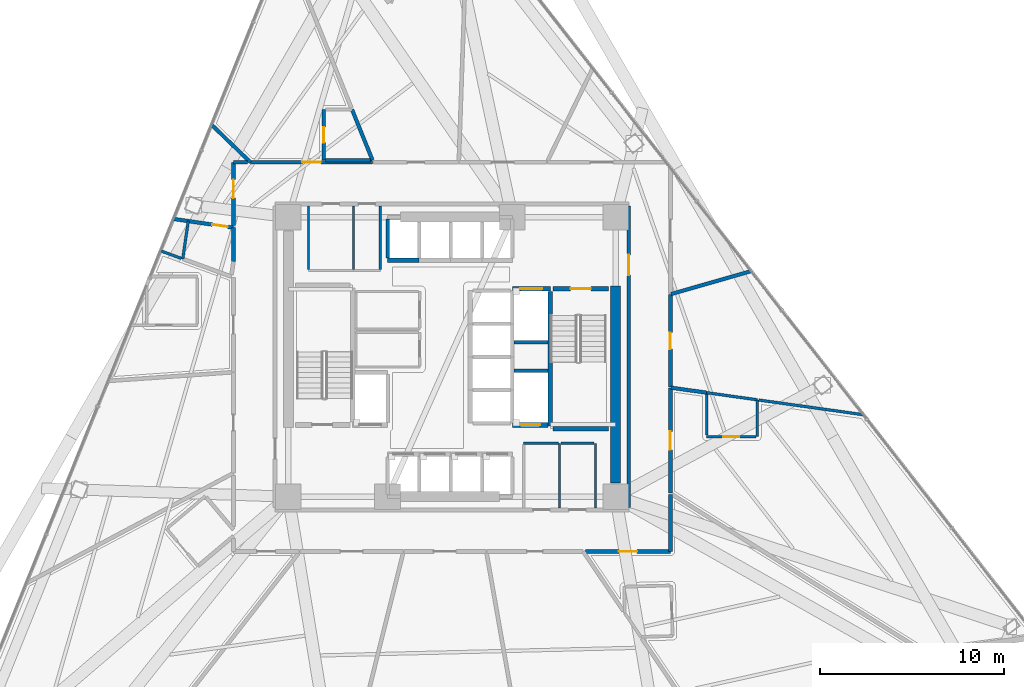
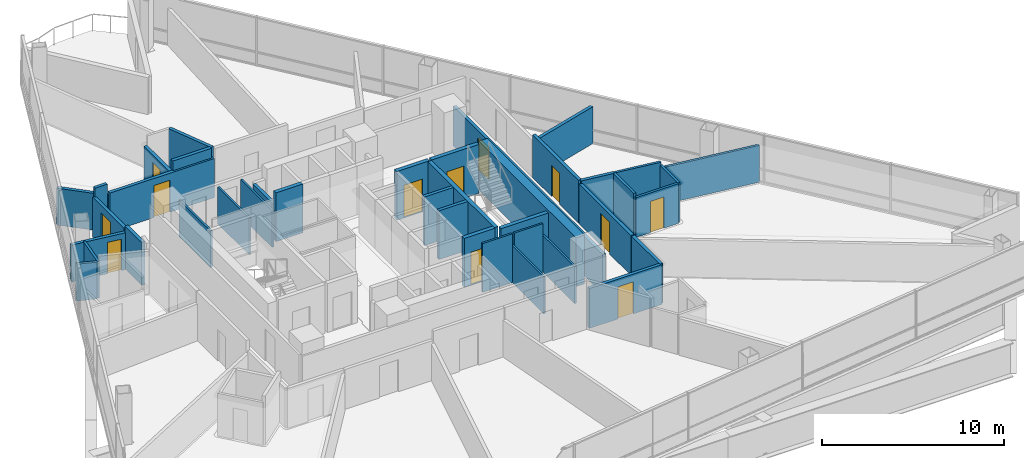
# One storey, part 9 of 15: 40 walls, 12 doors, 12 openings.
"""IFC4 building model written with IfcOpenShell, lengths in metres."""

from ifc_helpers import new_model, si_unit, direction, frame, frame_2d, origin, place, context, subcontext, project, spatial, rectangle, extrude, material, layer, layer_set, type_object, element, fill, save


model = new_model("IFC4")

# Units and contexts
model_context = context("Model", 3, precision=1e-05, world=origin(), true_north=direction((0.0, 1.0)))
body_context = subcontext(model_context, "Body", "Model", "MODEL_VIEW")
ifc_project = project(units=[si_unit("LENGTHUNIT", "METRE"), si_unit("AREAUNIT", "SQUARE_METRE"), si_unit("VOLUMEUNIT", "CUBIC_METRE"), si_unit("PLANEANGLEUNIT", "RADIAN"), si_unit("MASSUNIT", "GRAM", prefix="KILO")], contexts=[model_context])

# Site, building, storey
site_placement = place(None, origin())
site = spatial("IfcSite", under=ifc_project, at=site_placement, CompositionType="ELEMENT")
building_placement = place(site_placement, origin())
building = spatial("IfcBuilding", under=site, at=building_placement, Name="Tharavind Bronze Gate", CompositionType="ELEMENT")
storey_placement = place(building_placement, frame((0.0, 0.0, 57.0)))
storey = spatial("IfcBuildingStorey", under=building, at=storey_placement, Name="L13", CompositionType="ELEMENT", Elevation=57.0)

# Wall, opening, door
ifc_material_1 = material(Name="Aerated Concrete Block", Category="concrete")
ifc_layer_1 = layer(ifc_material_1, 0.199951171875)
ifc_layer_set_1 = layer_set([ifc_layer_1], Name="Aerated Concrete Block")
wall_type_1 = type_object("IfcWallType", Name="FIRE RATED PARTITION 200", PredefinedType="PARTITIONING", material=ifc_layer_set_1)
wall_1_placement = place(storey_placement, frame((9.6201171875, -8.199951171875, 0.0), z_axis=(0.0, 0.0, 1.0), x_axis=(0.0, 1.0, 0.0)))
wall_1 = element("IfcWall", 1, at=wall_1_placement, inside=storey, type_object=wall_type_1, Name="L13 east core corridor wall", PredefinedType="PARTITIONING", context=body_context, shape_type="SweptSolid", body=[
    extrude(rectangle(XDim=16.39990234375, YDim=0.199951171875, at=frame_2d((8.199951171875, 0.0))), origin(), (0.0, 0.0, 1.0), 2.669921875),
])
opening_1_placement = place(wall_1_placement, frame((12.64990234375, 0.0, 0.0)))
opening_1 = element("IfcOpeningElement", 2, at=opening_1_placement, cuts=wall_1, Name="Opening ID01", PredefinedType="OPENING", context=body_context, shape_type="SweptSolid", body=[
    extrude(rectangle(XDim=1.10009765625, YDim=2.14990234375, at=frame_2d((0.550048828125, 1.074951171875))), frame((0.0, 0.11009765625, 0.0), z_axis=(0.0, -1.0, 0.0), x_axis=(1.0, 0.0, 0.0)), (0.0, 0.0, 1.0), 0.219951171875),
])
ifc_material_2 = material(Name="Fire-Rated Steel", Category="steel")
door_type_1 = type_object("IfcDoorType", Name="STAIR CORE FIRE DOOR 1100X2150", OperationType="SINGLE_SWING_LEFT", PredefinedType="DOOR", material=ifc_material_2)
door_1_placement = place(opening_1_placement, frame((1.10009765625, 0.0, 0.0), z_axis=(0.0, 0.0, 1.0), x_axis=(-1.0, 0.0, 0.0)))
door_1 = element("IfcDoor", 3, at=door_1_placement, inside=storey, type_object=door_type_1, Name="L13 north east stair lobby fire door", OperationType="SINGLE_SWING_LEFT", OverallHeight=2.14990234375, OverallWidth=1.10009765625, PredefinedType="DOOR", context=body_context, shape_type="SweptSolid", body=[
    extrude(rectangle(XDim=1.10009765625, YDim=2.14990234375, at=frame_2d((0.550048828125, 1.074951171875))), frame((0.0, 0.02490234375, 0.0), z_axis=(0.0, -1.0, 0.0), x_axis=(1.0, 0.0, 0.0)), (0.0, 0.0, 1.0), 0.050048828125),
])
fill(opening_1, door_1)

wall_2_placement = place(storey_placement, frame((-6.97314453125, 10.699951171875, 0.0), z_axis=(0.0, 0.0, 1.0), x_axis=(0.0, 1.0, 0.0)))
wall_2 = element("IfcWall", 4, at=wall_2_placement, inside=storey, type_object=wall_type_1, Name="L13 En-Suite Bathroom partition", PredefinedType="PARTITIONING", context=body_context, shape_type="SweptSolid", body=[
    extrude(rectangle(XDim=2.75, YDim=0.199951171875, at=frame_2d((1.375, 0.0))), origin(), (0.0, 0.0, 1.0), 2.6201171875),
])
opening_2_placement = place(wall_2_placement, frame((0.949951171875, 0.0, 0.0)))
opening_2 = element("IfcOpeningElement", 5, at=opening_2_placement, cuts=wall_2, Name="Opening ID06", PredefinedType="OPENING", context=body_context, shape_type="SweptSolid", body=[
    extrude(rectangle(XDim=0.85009765625, YDim=2.10009765625, at=frame_2d((0.425048828125, 1.050048828125))), frame((0.0, 0.11009765625, 0.0), z_axis=(0.0, -1.0, 0.0), x_axis=(1.0, 0.0, 0.0)), (0.0, 0.0, 1.0), 0.219951171875),
])
ifc_material_3 = material(Name="Moisture-Resistant Timber", Category="wood")
door_type_2 = type_object("IfcDoorType", Name="BATHROOM PRIVACY DOOR 850X2100", OperationType="SINGLE_SWING_RIGHT", PredefinedType="DOOR", material=ifc_material_3)
door_2_placement = place(opening_2_placement, origin())
door_2 = element("IfcDoor", 6, at=door_2_placement, inside=storey, type_object=door_type_2, Name="L13 En-Suite Bathroom door", OperationType="SINGLE_SWING_RIGHT", OverallHeight=2.10009765625, OverallWidth=0.85009765625, PredefinedType="DOOR", context=body_context, shape_type="SweptSolid", body=[
    extrude(rectangle(XDim=0.85009765625, YDim=2.10009765625, at=frame_2d((0.425048828125, 1.050048828125))), frame((0.0, 0.02490234375, 0.0), z_axis=(0.0, -1.0, 0.0), x_axis=(1.0, 0.0, 0.0)), (0.0, 0.0, 1.0), 0.050048828125),
])
fill(opening_2, door_2)

# Walls
wall_3_placement = place(storey_placement, frame((-5.43408203125, 13.449951171875, 0.0), z_axis=(0.0, 0.0, 1.0), x_axis=(0.374610031927, -0.927182465311, 0.0)))
element("IfcWall", 7, at=wall_3_placement, inside=storey, type_object=wall_type_1, Name="L13 En-Suite Bathroom partition", PredefinedType="PARTITIONING", context=body_context, shape_type="SweptSolid", body=[
    extrude(rectangle(XDim=2.966064453125, YDim=0.199951171875, at=frame_2d((1.48291015625, 0.0))), origin(), (0.0, 0.0, 1.0), 3.27490234375),
])
wall_4_placement = place(storey_placement, frame((-4.436279296875, 10.699951171875, 0.0), z_axis=(0.0, 0.0, 1.0), x_axis=(-1.0, 0.0, 0.0)))
element("IfcWall", 8, at=wall_4_placement, inside=storey, type_object=wall_type_1, Name="L13 En-Suite Bathroom partition", PredefinedType="PARTITIONING", context=body_context, shape_type="SweptSolid", body=[
    extrude(rectangle(XDim=2.431884765625, YDim=0.199951171875, at=frame_2d((1.2158203125, 0.0))), origin(), (0.0, 0.0, 1.0), 3.27490234375),
])

# Wall, opening, door
wall_5_placement = place(storey_placement, frame((-15.144287109375, 7.502197265625, 0.0), z_axis=(0.0, 0.0, 1.0), x_axis=(0.989616702709, -0.143731630892, 0.0)))
wall_5 = element("IfcWall", 9, at=wall_5_placement, inside=storey, type_object=wall_type_1, Name="L13 En-Suite Bathroom partition", PredefinedType="PARTITIONING", context=body_context, shape_type="SweptSolid", body=[
    extrude(rectangle(XDim=3.298583984375, YDim=0.199951171875, at=frame_2d((1.6494140625, 0.0))), origin(), (0.0, 0.0, 1.0), 2.469970703125),
])
opening_3_placement = place(wall_5_placement, frame((2.1240234375, 0.0, 0.0)))
opening_3 = element("IfcOpeningElement", 10, at=opening_3_placement, cuts=wall_5, Name="Opening ID06", PredefinedType="OPENING", context=body_context, shape_type="SweptSolid", body=[
    extrude(rectangle(XDim=0.85009765625, YDim=2.10009765625, at=frame_2d((0.425048828125, 1.050048828125))), frame((0.0, 0.11009765625, 0.0), z_axis=(0.0, -1.0, 0.0), x_axis=(1.0, 0.0, 0.0)), (0.0, 0.0, 1.0), 0.219951171875),
])
door_3_placement = place(opening_3_placement, origin())
door_3 = element("IfcDoor", 11, at=door_3_placement, inside=storey, type_object=door_type_2, Name="L13 En-Suite Bathroom door", OperationType="SINGLE_SWING_RIGHT", OverallHeight=2.10009765625, OverallWidth=0.85009765625, PredefinedType="DOOR", context=body_context, shape_type="SweptSolid", body=[
    extrude(rectangle(XDim=0.85009765625, YDim=2.10009765625, at=frame_2d((0.425048828125, 1.050048828125))), frame((0.0, 0.02490234375, 0.0), z_axis=(0.0, -1.0, 0.0), x_axis=(1.0, 0.0, 0.0)), (0.0, 0.0, 1.0), 0.050048828125),
])
fill(opening_3, door_3)

# Walls
wall_6_placement = place(storey_placement, frame((-11.8798828125, 7.028076171875, 0.0), z_axis=(0.0, 0.0, 1.0), x_axis=(0.0, -1.0, 0.0)))
element("IfcWall", 12, at=wall_6_placement, inside=storey, type_object=wall_type_1, Name="L13 En-Suite Bathroom partition", PredefinedType="PARTITIONING", context=body_context, shape_type="SweptSolid", body=[
    extrude(rectangle(XDim=1.834228515625, YDim=0.199951171875, at=frame_2d((0.9169921875, 0.0))), origin(), (0.0, 0.0, 1.0), 2.8701171875),
])
wall_7_placement = place(storey_placement, frame((16.271728515625, 4.665771484375, 0.0), z_axis=(0.0, 0.0, 1.0), x_axis=(-0.961271666147, -0.275602583194, 0.0)))
element("IfcWall", 13, at=wall_7_placement, inside=storey, type_object=wall_type_1, Name="L13 Hotel Club Lounge partition", PredefinedType="PARTITIONING", context=body_context, shape_type="SweptSolid", body=[
    extrude(rectangle(XDim=4.535400390625, YDim=0.199951171875, at=frame_2d((2.267578125, 0.0))), origin(), (0.0, 0.0, 1.0), 2.469970703125),
])

# Wall, opening, door
wall_8_placement = place(storey_placement, frame((-4.311767578125, 10.580078125, 0.0), z_axis=(0.0, 0.0, 1.0), x_axis=(-1.0, 0.0, 0.0)))
wall_8 = element("IfcWall", 14, at=wall_8_placement, inside=storey, type_object=wall_type_1, Name="L13 Hotel Guest Room partition", PredefinedType="PARTITIONING", context=body_context, shape_type="SweptSolid", body=[
    extrude(rectangle(XDim=6.634033203125, YDim=0.199951171875, at=frame_2d((3.31689453125, 0.0))), origin(), (0.0, 0.0, 1.0), 2.6201171875),
])
opening_4_placement = place(wall_8_placement, frame((2.81689453125, 0.0, 0.0)))
opening_4 = element("IfcOpeningElement", 15, at=opening_4_placement, cuts=wall_8, Name="Opening ID03", PredefinedType="OPENING", context=body_context, shape_type="SweptSolid", body=[
    extrude(rectangle(XDim=1.0, YDim=2.14990234375, at=frame_2d((0.5, 1.074951171875))), frame((0.0, 0.11009765625, 0.0), z_axis=(0.0, -1.0, 0.0), x_axis=(1.0, 0.0, 0.0)), (0.0, 0.0, 1.0), 0.219951171875),
])
ifc_material_4 = material(Name="Solid Timber Veneer", Category="wood")
door_type_3 = type_object("IfcDoorType", Name="HOTEL SUITE ENTRANCE DOOR 1000X2150", OperationType="SINGLE_SWING_LEFT", PredefinedType="DOOR", material=ifc_material_4)
door_4_placement = place(opening_4_placement, origin())
door_4 = element("IfcDoor", 16, at=door_4_placement, inside=storey, type_object=door_type_3, Name="L13 Hotel Guest Room door", OperationType="SINGLE_SWING_LEFT", OverallHeight=2.14990234375, OverallWidth=1.0, PredefinedType="DOOR", context=body_context, shape_type="SweptSolid", body=[
    extrude(rectangle(XDim=1.0, YDim=2.14990234375, at=frame_2d((0.5, 1.074951171875))), frame((0.0, 0.02490234375, 0.0), z_axis=(0.0, -1.0, 0.0), x_axis=(1.0, 0.0, 0.0)), (0.0, 0.0, 1.0), 0.050048828125),
])
fill(opening_4, door_4)

# Walls
wall_9_placement = place(storey_placement, frame((-10.963134765625, 10.5869140625, 0.0), z_axis=(0.0, 0.0, 1.0), x_axis=(-0.719299093908, 0.69470052073, 0.0)))
element("IfcWall", 17, at=wall_9_placement, inside=storey, type_object=wall_type_1, Name="L13 Hotel Guest Room partition", PredefinedType="PARTITIONING", context=body_context, shape_type="SweptSolid", body=[
    extrude(rectangle(XDim=2.91796875, YDim=0.199951171875, at=frame_2d((1.458984375, 0.0))), origin(), (0.0, 0.0, 1.0), 2.469970703125),
])
wall_10_placement = place(storey_placement, frame((-11.107177734375, 10.580078125, 0.0), z_axis=(0.0, 0.0, 1.0), x_axis=(-1.0, 0.0, 0.0)))
element("IfcWall", 18, at=wall_10_placement, inside=storey, type_object=wall_type_1, Name="L13 Hotel Deluxe Room partition", PredefinedType="PARTITIONING", context=body_context, shape_type="SweptSolid", body=[
    extrude(rectangle(XDim=0.772216796875, YDim=0.199951171875, at=frame_2d((0.38623046875, 0.0))), origin(), (0.0, 0.0, 1.0), 3.27490234375),
])

# Wall, opening, door
wall_11_placement = place(storey_placement, frame((-11.8798828125, 10.579345703125, 0.0), z_axis=(0.0, 0.0, 1.0), x_axis=(0.0, -1.0, 0.0)))
wall_11 = element("IfcWall", 19, at=wall_11_placement, inside=storey, type_object=wall_type_1, Name="L13 Hotel Deluxe Room partition", PredefinedType="PARTITIONING", context=body_context, shape_type="SweptSolid", body=[
    extrude(rectangle(XDim=3.4453125, YDim=0.199951171875, at=frame_2d((1.72265625, 0.0))), origin(), (0.0, 0.0, 1.0), 2.669921875),
])
opening_5_placement = place(wall_11_placement, frame((0.943115234375, 0.0, 0.0)))
opening_5 = element("IfcOpeningElement", 20, at=opening_5_placement, cuts=wall_11, Name="Opening ID03", PredefinedType="OPENING", context=body_context, shape_type="SweptSolid", body=[
    extrude(rectangle(XDim=1.0, YDim=2.14990234375, at=frame_2d((0.5, 1.074951171875))), frame((0.0, 0.11009765625, 0.0), z_axis=(0.0, -1.0, 0.0), x_axis=(1.0, 0.0, 0.0)), (0.0, 0.0, 1.0), 0.219951171875),
])
door_5_placement = place(opening_5_placement, origin())
door_5 = element("IfcDoor", 21, at=door_5_placement, inside=storey, type_object=door_type_3, Name="L13 Hotel Deluxe Room door", OperationType="SINGLE_SWING_LEFT", OverallHeight=2.14990234375, OverallWidth=1.0, PredefinedType="DOOR", context=body_context, shape_type="SweptSolid", body=[
    extrude(rectangle(XDim=1.0, YDim=2.14990234375, at=frame_2d((0.5, 1.074951171875))), frame((0.0, 0.02490234375, 0.0), z_axis=(0.0, -1.0, 0.0), x_axis=(1.0, 0.0, 0.0)), (0.0, 0.0, 1.0), 0.050048828125),
])
fill(opening_5, door_5)

# Wall
wall_12_placement = place(storey_placement, frame((11.8798828125, -10.579345703125, 0.0), z_axis=(0.0, 0.0, 1.0), x_axis=(0.0, 1.0, 0.0)))
element("IfcWall", 22, at=wall_12_placement, inside=storey, type_object=wall_type_1, Name="L13 Deluxe Hotel Suite partition", PredefinedType="PARTITIONING", context=body_context, shape_type="SweptSolid", body=[
    extrude(rectangle(XDim=3.11083984375, YDim=0.199951171875, at=frame_2d((1.555419921875, 0.0))), origin(), (0.0, 0.0, 1.0), 2.669921875),
])

# Wall, opening, door
wall_13_placement = place(storey_placement, frame((7.262939453125, -10.580078125, 0.0), z_axis=(0.0, 0.0, 1.0), x_axis=(1.0, 0.0, 0.0)))
wall_13 = element("IfcWall", 23, at=wall_13_placement, inside=storey, type_object=wall_type_1, Name="L13 Deluxe Hotel Suite partition", PredefinedType="PARTITIONING", context=body_context, shape_type="SweptSolid", body=[
    extrude(rectangle(XDim=4.616455078125, YDim=0.199951171875, at=frame_2d((2.30810546875, 0.0))), origin(), (0.0, 0.0, 1.0), 2.669921875),
])
opening_6_placement = place(wall_13_placement, frame((1.80810546875, 0.0, 0.0)))
opening_6 = element("IfcOpeningElement", 24, at=opening_6_placement, cuts=wall_13, Name="Opening ID03", PredefinedType="OPENING", context=body_context, shape_type="SweptSolid", body=[
    extrude(rectangle(XDim=1.0, YDim=2.14990234375, at=frame_2d((0.5, 1.074951171875))), frame((0.0, 0.11009765625, 0.0), z_axis=(0.0, -1.0, 0.0), x_axis=(1.0, 0.0, 0.0)), (0.0, 0.0, 1.0), 0.219951171875),
])
door_6_placement = place(opening_6_placement, origin())
door_6 = element("IfcDoor", 25, at=door_6_placement, inside=storey, type_object=door_type_3, Name="L13 Deluxe Hotel Suite door", OperationType="SINGLE_SWING_LEFT", OverallHeight=2.14990234375, OverallWidth=1.0, PredefinedType="DOOR", context=body_context, shape_type="SweptSolid", body=[
    extrude(rectangle(XDim=1.0, YDim=2.14990234375, at=frame_2d((0.5, 1.074951171875))), frame((0.0, 0.02490234375, 0.0), z_axis=(0.0, -1.0, 0.0), x_axis=(1.0, 0.0, 0.0)), (0.0, 0.0, 1.0), 0.050048828125),
])
fill(opening_6, door_6)

wall_14_placement = place(storey_placement, frame((11.8798828125, -7.40966796875, 0.0), z_axis=(0.0, 0.0, 1.0), x_axis=(0.0, 1.0, 0.0)))
wall_14 = element("IfcWall", 26, at=wall_14_placement, inside=storey, type_object=wall_type_1, Name="L13 Deluxe Hotel Suite partition", PredefinedType="PARTITIONING", context=body_context, shape_type="SweptSolid", body=[
    extrude(rectangle(XDim=5.711181640625, YDim=0.199951171875, at=frame_2d((2.85546875, 0.0))), origin(), (0.0, 0.0, 1.0), 2.669921875),
])
opening_7_placement = place(wall_14_placement, frame((2.35595703125, 0.0, 0.0)))
opening_7 = element("IfcOpeningElement", 27, at=opening_7_placement, cuts=wall_14, Name="Opening ID03", PredefinedType="OPENING", context=body_context, shape_type="SweptSolid", body=[
    extrude(rectangle(XDim=1.0, YDim=2.14990234375, at=frame_2d((0.5, 1.074951171875))), frame((0.0, 0.11009765625, 0.0), z_axis=(0.0, -1.0, 0.0), x_axis=(1.0, 0.0, 0.0)), (0.0, 0.0, 1.0), 0.219951171875),
])
door_7_placement = place(opening_7_placement, origin())
door_7 = element("IfcDoor", 28, at=door_7_placement, inside=storey, type_object=door_type_3, Name="L13 Deluxe Hotel Suite door", OperationType="SINGLE_SWING_LEFT", OverallHeight=2.14990234375, OverallWidth=1.0, PredefinedType="DOOR", context=body_context, shape_type="SweptSolid", body=[
    extrude(rectangle(XDim=1.0, YDim=2.14990234375, at=frame_2d((0.5, 1.074951171875))), frame((0.0, 0.02490234375, 0.0), z_axis=(0.0, -1.0, 0.0), x_axis=(1.0, 0.0, 0.0)), (0.0, 0.0, 1.0), 0.050048828125),
])
fill(opening_7, door_7)

# Wall
wall_15_placement = place(storey_placement, frame((11.908447265625, -1.673583984375, 0.0), z_axis=(0.0, 0.0, 1.0), x_axis=(0.990263284835, -0.13920713598, 0.0)))
element("IfcWall", 29, at=wall_15_placement, inside=storey, type_object=wall_type_1, Name="L13 Deluxe Hotel Suite partition", PredefinedType="PARTITIONING", context=body_context, shape_type="SweptSolid", body=[
    extrude(rectangle(XDim=1.960693359375, YDim=0.199951171875, at=frame_2d((0.98046875, 0.0))), origin(), (0.0, 0.0, 1.0), 2.8701171875),
])

# Wall, opening, door
wall_16_placement = place(storey_placement, frame((11.8798828125, -1.64794921875, 0.0), z_axis=(0.0, 0.0, 1.0), x_axis=(0.0, 1.0, 0.0)))
wall_16 = element("IfcWall", 30, at=wall_16_placement, inside=storey, type_object=wall_type_1, Name="L13 Tea Pantry partition", PredefinedType="PARTITIONING", context=body_context, shape_type="SweptSolid", body=[
    extrude(rectangle(XDim=5.03564453125, YDim=0.199951171875, at=frame_2d((2.517822265625, 0.0))), origin(), (0.0, 0.0, 1.0), 2.8701171875),
])
opening_8_placement = place(wall_16_placement, frame((2.068115234375, 0.0, 0.0)))
opening_8 = element("IfcOpeningElement", 31, at=opening_8_placement, cuts=wall_16, Name="Opening ID07", PredefinedType="OPENING", context=body_context, shape_type="SweptSolid", body=[
    extrude(rectangle(XDim=0.89990234375, YDim=2.10009765625, at=frame_2d((0.449951171875, 1.050048828125))), frame((0.0, 0.11009765625, 0.0), z_axis=(0.0, -1.0, 0.0), x_axis=(1.0, 0.0, 0.0)), (0.0, 0.0, 1.0), 0.219951171875),
])
ifc_material_5 = material(Name="Galvanised Fire Steel", Category="steel")
door_type_4 = type_object("IfcDoorType", Name="PLANT AND RISER FIRE DOOR 900X2100", OperationType="SINGLE_SWING_LEFT", PredefinedType="DOOR", material=ifc_material_5)
door_8_placement = place(opening_8_placement, origin())
door_8 = element("IfcDoor", 32, at=door_8_placement, inside=storey, type_object=door_type_4, Name="L13 Tea Pantry door", OperationType="SINGLE_SWING_LEFT", OverallHeight=2.10009765625, OverallWidth=0.89990234375, PredefinedType="DOOR", context=body_context, shape_type="SweptSolid", body=[
    extrude(rectangle(XDim=0.89990234375, YDim=2.10009765625, at=frame_2d((0.449951171875, 1.050048828125))), frame((0.0, 0.02490234375, 0.0), z_axis=(0.0, -1.0, 0.0), x_axis=(1.0, 0.0, 0.0)), (0.0, 0.0, 1.0), 0.050048828125),
])
fill(opening_8, door_8)

# Walls
ifc_material_6 = material(Name="Metal Stud Gypsum Partition", Category="gypsum")
ifc_layer_2 = layer(ifc_material_6, 0.1201171875)
ifc_layer_set_2 = layer_set([ifc_layer_2], Name="Metal Stud Gypsum Partition")
wall_type_2 = type_object("IfcWallType", Name="INTERIOR PARTITION WALL 120", PredefinedType="PARTITIONING", material=ifc_layer_set_2)
for number, where, z_axis, x_axis, name in (
    (33, (-5.35009765625, 4.764892578125, 0.0), (0.0, 0.0, 1.0), (0.0, 1.0, 0.0), "L13 Electrical Metering Room partition 2"),
    (34, (-7.800048828125, 8.215087890625, 0.0), (0.0, 0.0, 1.0), (0.0, -1.0, 0.0), "L13 Electrical Metering Room partition 4"),
    (35, (-3.89990234375, 4.764892578125, 0.0), (0.0, 0.0, 1.0), (0.0, 1.0, 0.0), "L13 Linen Cupboard partition 2"),
):
    element("IfcWall", number, at=place(storey_placement, frame(where, z_axis=z_axis, x_axis=x_axis)), inside=storey, type_object=wall_type_2, Name=name, PredefinedType="PARTITIONING", context=body_context, shape_type="SweptSolid", body=[
        extrude(rectangle(XDim=3.4501953125, YDim=0.1201171875, at=frame_2d((1.72509765625, 0.0))), origin(), (0.0, 0.0, 1.0), 2.469970703125),
    ])
wall_17_placement = place(storey_placement, frame((5.85009765625, -8.215087890625, 0.0), z_axis=(0.0, 0.0, 1.0), x_axis=(0.0, 1.0, 0.0)))
element("IfcWall", 36, at=wall_17_placement, inside=storey, type_object=wall_type_2, Name="L13 Comms Patch Room partition 2", PredefinedType="PARTITIONING", context=body_context, shape_type="SweptSolid", body=[
    extrude(rectangle(XDim=3.51513671875, YDim=0.1201171875, at=frame_2d((1.757568359375, 0.0))), origin(), (0.0, 0.0, 1.0), 2.469970703125),
])
wall_18_placement = place(storey_placement, frame((5.784912109375, -4.699951171875, 0.0), z_axis=(0.0, 0.0, 1.0), x_axis=(-1.0, 0.0, 0.0)))
element("IfcWall", 37, at=wall_18_placement, inside=storey, type_object=wall_type_2, Name="L13 Comms Patch Room partition 3", PredefinedType="PARTITIONING", context=body_context, shape_type="SweptSolid", body=[
    extrude(rectangle(XDim=1.885009765625, YDim=0.1201171875, at=frame_2d((0.9423828125, 0.0))), origin(), (0.0, 0.0, 1.0), 3.27490234375),
])
wall_19_placement = place(storey_placement, frame((7.800048828125, -8.215087890625, 0.0), z_axis=(0.0, 0.0, 1.0), x_axis=(0.0, 1.0, 0.0)))
element("IfcWall", 38, at=wall_19_placement, inside=storey, type_object=wall_type_2, Name="L13 Housekeeping Store partition 2", PredefinedType="PARTITIONING", context=body_context, shape_type="SweptSolid", body=[
    extrude(rectangle(XDim=3.51513671875, YDim=0.1201171875, at=frame_2d((1.757568359375, 0.0))), origin(), (0.0, 0.0, 1.0), 2.469970703125),
])
wall_20_placement = place(storey_placement, frame((7.735107421875, -4.699951171875, 0.0), z_axis=(0.0, 0.0, 1.0), x_axis=(-1.0, 0.0, 0.0)))
element("IfcWall", 39, at=wall_20_placement, inside=storey, type_object=wall_type_2, Name="L13 Housekeeping Store partition 3", PredefinedType="PARTITIONING", context=body_context, shape_type="SweptSolid", body=[
    extrude(rectangle(XDim=1.820068359375, YDim=0.1201171875, at=frame_2d((0.91015625, 0.0))), origin(), (0.0, 0.0, 1.0), 3.27490234375),
])
ifc_material_7 = material(Name="Twin Stud Acoustic Gypsum", Category="gypsum")
ifc_layer_3 = layer(ifc_material_7, 0.14990234375)
ifc_layer_set_3 = layer_set([ifc_layer_3], Name="Twin Stud Acoustic Gypsum")
wall_type_3 = type_object("IfcWallType", Name="INTERIOR PARTITION WALL 150", PredefinedType="PARTITIONING", material=ifc_layer_set_3)
wall_21_placement = place(storey_placement, frame((-14.639404296875, 5.328369140625, 0.0), z_axis=(0.0, 0.0, 1.0), x_axis=(0.143755820494, 0.989613189117, 0.0)))
element("IfcWall", 40, at=wall_21_placement, inside=storey, type_object=wall_type_3, Name="L13 En-Suite Bathroom partition", PredefinedType="PARTITIONING", context=body_context, shape_type="SweptSolid", body=[
    extrude(rectangle(XDim=2.07861328125, YDim=0.14990234375, at=frame_2d((1.039306640625, 0.0))), origin(), (0.0, 0.0, 1.0), 2.469970703125),
])
wall_22_placement = place(storey_placement, frame((13.85009765625, -1.946533203125, 0.0), z_axis=(0.0, 0.0, 1.0), x_axis=(0.990268698317, -0.139168621221, 0.0)))
element("IfcWall", 41, at=wall_22_placement, inside=storey, type_object=wall_type_3, Name="L13 En-Suite Bathroom partition", PredefinedType="PARTITIONING", context=body_context, shape_type="SweptSolid", body=[
    extrude(rectangle(XDim=2.777099609375, YDim=0.14990234375, at=frame_2d((1.388671875, 0.0))), origin(), (0.0, 0.0, 1.0), 2.8701171875),
])
wall_23_placement = place(storey_placement, frame((16.60009765625, -2.3330078125, 0.0), z_axis=(0.0, 0.0, 1.0), x_axis=(0.0, -1.0, 0.0)))
element("IfcWall", 42, at=wall_23_placement, inside=storey, type_object=wall_type_3, Name="L13 En-Suite Bathroom partition", PredefinedType="PARTITIONING", context=body_context, shape_type="SweptSolid", body=[
    extrude(rectangle(XDim=2.00341796875, YDim=0.14990234375, at=frame_2d((1.001708984375, 0.0))), origin(), (0.0, 0.0, 1.0), 2.669921875),
])

# Wall, opening, door
wall_24_placement = place(storey_placement, frame((16.52001953125, -4.33642578125, 0.0), z_axis=(0.0, 0.0, 1.0), x_axis=(-1.0, 0.0, 0.0)))
wall_24 = element("IfcWall", 43, at=wall_24_placement, inside=storey, type_object=wall_type_3, Name="L13 En-Suite Bathroom partition", PredefinedType="PARTITIONING", context=body_context, shape_type="SweptSolid", body=[
    extrude(rectangle(XDim=2.669921875, YDim=0.14990234375, at=frame_2d((1.3349609375, 0.0))), origin(), (0.0, 0.0, 1.0), 2.669921875),
])
opening_9_placement = place(wall_24_placement, frame((0.909912109375, 0.0, 0.0)))
opening_9 = element("IfcOpeningElement", 44, at=opening_9_placement, cuts=wall_24, Name="Opening ID06", PredefinedType="OPENING", context=body_context, shape_type="SweptSolid", body=[
    extrude(rectangle(XDim=0.85009765625, YDim=2.10009765625, at=frame_2d((0.425048828125, 1.050048828125))), frame((0.0, 0.084951171875, 0.0), z_axis=(0.0, -1.0, 0.0), x_axis=(1.0, 0.0, 0.0)), (0.0, 0.0, 1.0), 0.16990234375),
])
door_9_placement = place(opening_9_placement, origin())
door_9 = element("IfcDoor", 45, at=door_9_placement, inside=storey, type_object=door_type_2, Name="L13 En-Suite Bathroom door", OperationType="SINGLE_SWING_RIGHT", OverallHeight=2.10009765625, OverallWidth=0.85009765625, PredefinedType="DOOR", context=body_context, shape_type="SweptSolid", body=[
    extrude(rectangle(XDim=0.85009765625, YDim=2.10009765625, at=frame_2d((0.425048828125, 1.050048828125))), frame((0.0, 0.02490234375, 0.0), z_axis=(0.0, -1.0, 0.0), x_axis=(1.0, 0.0, 0.0)), (0.0, 0.0, 1.0), 0.050048828125),
])
fill(opening_9, door_9)

# Walls
wall_25_placement = place(storey_placement, frame((13.85009765625, -4.256591796875, 0.0), z_axis=(0.0, 0.0, 1.0), x_axis=(0.0, 1.0, 0.0)))
element("IfcWall", 46, at=wall_25_placement, inside=storey, type_object=wall_type_3, Name="L13 En-Suite Bathroom partition", PredefinedType="PARTITIONING", context=body_context, shape_type="SweptSolid", body=[
    extrude(rectangle(XDim=2.229248046875, YDim=0.14990234375, at=frame_2d((1.11474609375, 0.0))), origin(), (0.0, 0.0, 1.0), 2.8701171875),
])
wall_26_placement = place(storey_placement, frame((-14.716064453125, 5.356201171875, 0.0), z_axis=(0.0, 0.0, 1.0), x_axis=(-0.939690305464, 0.342026504552, 0.0)))
element("IfcWall", 47, at=wall_26_placement, inside=storey, type_object=wall_type_3, Name="L13 Hotel Deluxe Room partition", PredefinedType="PARTITIONING", context=body_context, shape_type="SweptSolid", body=[
    extrude(rectangle(XDim=1.175537109375, YDim=0.14990234375, at=frame_2d((0.587890625, 0.0))), origin(), (0.0, 0.0, 1.0), 2.469970703125),
])
wall_27_placement = place(storey_placement, frame((16.679931640625, -2.34423828125, 0.0), z_axis=(0.0, 0.0, 1.0), x_axis=(0.99026766526, -0.139175971854, 0.0)))
element("IfcWall", 48, at=wall_27_placement, inside=storey, type_object=wall_type_3, Name="L13 Deluxe Hotel Suite partition", PredefinedType="PARTITIONING", context=body_context, shape_type="SweptSolid", body=[
    extrude(rectangle(XDim=5.73974609375, YDim=0.14990234375, at=frame_2d((2.869873046875, 0.0))), origin(), (0.0, 0.0, 1.0), 2.469970703125),
])
ifc_material_8 = material(Name="Concrete C50/60", Category="concrete")
ifc_layer_4 = layer(ifc_material_8, 0.25)
ifc_layer_set_4 = layer_set([ifc_layer_4], Name="Concrete C50/60")
wall_type_4 = type_object("IfcWallType", Name="RC CORE SHEAR WALL 250", PredefinedType="SHEAR", material=ifc_layer_set_4)
wall_28_placement = place(storey_placement, frame((5.35009765625, -3.75, 0.0), z_axis=(0.0, 0.0, 1.0), x_axis=(0.0, 1.0, 0.0)))
element("IfcWall", 49, at=wall_28_placement, inside=storey, type_object=wall_type_4, Name="L13 ST2 shaft west wall", PredefinedType="SHEAR", context=body_context, shape_type="SweptSolid", body=[
    extrude(rectangle(XDim=7.300048828125, YDim=0.25, at=frame_2d((3.64990234375, 0.0))), origin(), (0.0, 0.0, 1.0), 3.27490234375),
])

# Wall, opening, door
wall_29_placement = place(storey_placement, frame((5.5, 3.699951171875, 0.0), z_axis=(0.0, 0.0, 1.0), x_axis=(1.0, 0.0, 0.0)))
wall_29 = element("IfcWall", 50, at=wall_29_placement, inside=storey, type_object=wall_type_4, Name="L13 ST2 shaft north wall", PredefinedType="SHEAR", context=body_context, shape_type="SweptSolid", body=[
    extrude(rectangle(XDim=3.0, YDim=0.25, at=frame_2d((1.5, 0.0))), origin(), (0.0, 0.0, 1.0), 3.27490234375),
])
opening_10_placement = place(wall_29_placement, frame((0.949951171875, 0.0, 0.0)))
opening_10 = element("IfcOpeningElement", 51, at=opening_10_placement, cuts=wall_29, Name="Opening ID01", PredefinedType="OPENING", context=body_context, shape_type="SweptSolid", body=[
    extrude(rectangle(XDim=1.10009765625, YDim=2.14990234375, at=frame_2d((0.550048828125, 1.074951171875))), frame((0.0, 0.135, 0.0), z_axis=(0.0, -1.0, 0.0), x_axis=(1.0, 0.0, 0.0)), (0.0, 0.0, 1.0), 0.27),
])
door_10_placement = place(opening_10_placement, frame((1.10009765625, 0.0, 0.0), z_axis=(0.0, 0.0, 1.0), x_axis=(-1.0, 0.0, 0.0)))
door_10 = element("IfcDoor", 52, at=door_10_placement, inside=storey, type_object=door_type_1, Name="L13 exit stair ST2 fire door", OperationType="SINGLE_SWING_LEFT", OverallHeight=2.14990234375, OverallWidth=1.10009765625, PredefinedType="DOOR", context=body_context, shape_type="SweptSolid", body=[
    extrude(rectangle(XDim=1.10009765625, YDim=2.14990234375, at=frame_2d((0.550048828125, 1.074951171875))), frame((0.0, 0.02490234375, 0.0), z_axis=(0.0, -1.0, 0.0), x_axis=(1.0, 0.0, 0.0)), (0.0, 0.0, 1.0), 0.050048828125),
])
fill(opening_10, door_10)

# Walls
wall_30_placement = place(storey_placement, frame((5.5, -3.89990234375, 0.0), z_axis=(0.0, 0.0, 1.0), x_axis=(1.0, 0.0, 0.0)))
element("IfcWall", 53, at=wall_30_placement, inside=storey, type_object=wall_type_4, Name="L13 ST2 shaft south wall", PredefinedType="SHEAR", context=body_context, shape_type="SweptSolid", body=[
    extrude(rectangle(XDim=3.0, YDim=0.25, at=frame_2d((1.5, 0.0))), origin(), (0.0, 0.0, 1.0), 3.27490234375),
])
wall_31_placement = place(storey_placement, frame((-3.5, 5.25, 0.0), z_axis=(0.0, 0.0, 1.0), x_axis=(1.0, 0.0, 0.0)))
element("IfcWall", 54, at=wall_31_placement, inside=storey, type_object=wall_type_4, Name="L13 lift PL5 shaft front wall", PredefinedType="SHEAR", context=body_context, shape_type="SweptSolid", body=[
    extrude(rectangle(XDim=1.71240234375, YDim=0.25, at=frame_2d((0.856201171875, 0.0))), origin(), (0.0, 0.0, 1.0), 3.27490234375),
])

# Wall, opening, door
wall_32_placement = place(storey_placement, frame((3.280029296875, 3.699951171875, 0.0), z_axis=(0.0, 0.0, 1.0), x_axis=(1.0, 0.0, 0.0)))
wall_32 = element("IfcWall", 55, at=wall_32_placement, inside=storey, type_object=wall_type_4, Name="L13 lift FFL2 shaft front wall", PredefinedType="SHEAR", context=body_context, shape_type="SweptSolid", body=[
    extrude(rectangle(XDim=2.070068359375, YDim=0.25, at=frame_2d((1.03515625, 0.0))), origin(), (0.0, 0.0, 1.0), 3.27490234375),
])
opening_11_placement = place(wall_32_placement, frame((0.43505859375, 0.0, 0.0)))
opening_11 = element("IfcOpeningElement", 56, at=opening_11_placement, cuts=wall_32, Name="Opening LD02", PredefinedType="OPENING", context=body_context, shape_type="SweptSolid", body=[
    extrude(rectangle(XDim=1.199951171875, YDim=2.199951171875, at=frame_2d((0.60009765625, 1.10009765625))), frame((0.0, 0.135, 0.0), z_axis=(0.0, -1.0, 0.0), x_axis=(1.0, 0.0, 0.0)), (0.0, 0.0, 1.0), 0.27),
])
ifc_material_9 = material(Name="Brushed Stainless Steel", Category="steel")
door_type_5 = type_object("IfcDoorType", Name="FIREFIGHTING LIFT LANDING DOOR 1200X2200", OperationType="SLIDING_TO_RIGHT", PredefinedType="DOOR", material=ifc_material_9)
door_11_placement = place(opening_11_placement, origin())
door_11 = element("IfcDoor", 57, at=door_11_placement, inside=storey, type_object=door_type_5, Name="L13 lift FFL2 sliding landing door", OperationType="SLIDING_TO_RIGHT", OverallHeight=2.199951171875, OverallWidth=1.199951171875, PredefinedType="DOOR", context=body_context, shape_type="SweptSolid", body=[
    extrude(rectangle(XDim=1.199951171875, YDim=2.199951171875, at=frame_2d((0.60009765625, 1.10009765625))), frame((0.0, 0.02490234375, 0.0), z_axis=(0.0, -1.0, 0.0), x_axis=(1.0, 0.0, 0.0)), (0.0, 0.0, 1.0), 0.050048828125),
])
fill(opening_11, door_11)

wall_33_placement = place(storey_placement, frame((3.280029296875, -3.699951171875, 0.0), z_axis=(0.0, 0.0, 1.0), x_axis=(1.0, 0.0, 0.0)))
wall_33 = element("IfcWall", 58, at=wall_33_placement, inside=storey, type_object=wall_type_4, Name="L13 lift SVL1 shaft front wall", PredefinedType="SHEAR", context=body_context, shape_type="SweptSolid", body=[
    extrude(rectangle(XDim=1.93994140625, YDim=0.25, at=frame_2d((0.969970703125, 0.0))), origin(), (0.0, 0.0, 1.0), 3.27490234375),
])
opening_12_placement = place(wall_33_placement, frame((0.419921875, 0.0, 0.0)))
opening_12 = element("IfcOpeningElement", 59, at=opening_12_placement, cuts=wall_33, Name="Opening LD01", PredefinedType="OPENING", context=body_context, shape_type="SweptSolid", body=[
    extrude(rectangle(XDim=1.10009765625, YDim=2.199951171875, at=frame_2d((0.550048828125, 1.10009765625))), frame((0.0, 0.135, 0.0), z_axis=(0.0, -1.0, 0.0), x_axis=(1.0, 0.0, 0.0)), (0.0, 0.0, 1.0), 0.27),
])
ifc_material_10 = material(Name="Brushed Bronze Stainless Steel", Category="steel")
door_type_6 = type_object("IfcDoorType", Name="LIFT LANDING SLIDING DOOR 1100X2200", OperationType="SLIDING_TO_LEFT", PredefinedType="DOOR", material=ifc_material_10)
door_12_placement = place(opening_12_placement, origin())
door_12 = element("IfcDoor", 60, at=door_12_placement, inside=storey, type_object=door_type_6, Name="L13 lift SVL1 sliding landing door", OperationType="SLIDING_TO_LEFT", OverallHeight=2.199951171875, OverallWidth=1.10009765625, PredefinedType="DOOR", context=body_context, shape_type="SweptSolid", body=[
    extrude(rectangle(XDim=1.10009765625, YDim=2.199951171875, at=frame_2d((0.550048828125, 1.10009765625))), frame((0.0, 0.02490234375, 0.0), z_axis=(0.0, -1.0, 0.0), x_axis=(1.0, 0.0, 0.0)), (0.0, 0.0, 1.0), 0.050048828125),
])
fill(opening_12, door_12)

# Walls
ifc_material_11 = material(Name="Concrete C60/75", Category="concrete")
ifc_layer_5 = layer(ifc_material_11, 0.550048828125)
ifc_layer_set_5 = layer_set([ifc_layer_5], Name="Concrete C60/75")
wall_type_5 = type_object("IfcWallType", Name="RC CORE SHEAR WALL 550", PredefinedType="SHEAR", material=ifc_layer_set_5)
wall_34_placement = place(storey_placement, frame((8.89990234375, -6.85009765625, 0.0), z_axis=(0.0, 0.0, 1.0), x_axis=(0.0, 1.0, 0.0)))
element("IfcWall", 61, at=wall_34_placement, inside=storey, type_object=wall_type_5, Name="L13 east core shear wall", PredefinedType="SHEAR", context=body_context, shape_type="SweptSolid", body=[
    extrude(rectangle(XDim=10.7001953125, YDim=0.550048828125, at=frame_2d((5.35009765625, 0.0))), origin(), (0.0, 0.0, 1.0), 3.27490234375),
])
ifc_material_12 = material(Name="Concrete C40/50", Category="concrete")
ifc_layer_6 = layer(ifc_material_12, 0.199951171875)
ifc_layer_set_6 = layer_set([ifc_layer_6], Name="Concrete C40/50")
wall_type_6 = type_object("IfcWallType", Name="SHAFT ENCLOSURE WALL 200", PredefinedType="PARTITIONING", material=ifc_layer_set_6)
wall_35_placement = place(storey_placement, frame((-3.5, 5.3798828125, 0.0), z_axis=(0.0, 0.0, 1.0), x_axis=(0.0, 1.0, 0.0)))
element("IfcWall", 62, at=wall_35_placement, inside=storey, type_object=wall_type_6, Name="L13 lift PL5 shaft W enclosure wall", PredefinedType="PARTITIONING", context=body_context, shape_type="SweptSolid", body=[
    extrude(rectangle(XDim=2.115234375, YDim=0.199951171875, at=frame_2d((1.0576171875, 0.0))), origin(), (0.0, 0.0, 1.0), 2.469970703125),
])
for number, where, z_axis, x_axis, name in (
    (63, (3.385009765625, 0.800048828125, 0.0), (0.0, 0.0, 1.0), (1.0, 0.0, 0.0), "L13 lift FFL2 shaft S enclosure wall"),
    (64, (3.385009765625, -0.75, 0.0), (0.0, 0.0, 1.0), (1.0, 0.0, 0.0), "L13 lift SVL1 shaft N enclosure wall"),
):
    element("IfcWall", number, at=place(storey_placement, frame(where, z_axis=z_axis, x_axis=x_axis)), inside=storey, type_object=wall_type_6, Name=name, PredefinedType="PARTITIONING", context=body_context, shape_type="SweptSolid", body=[
        extrude(rectangle(XDim=1.8349609375, YDim=0.199951171875, at=frame_2d((0.91748046875, 0.0))), origin(), (0.0, 0.0, 1.0), 3.27490234375),
    ])

save(model, "model.ifc")
